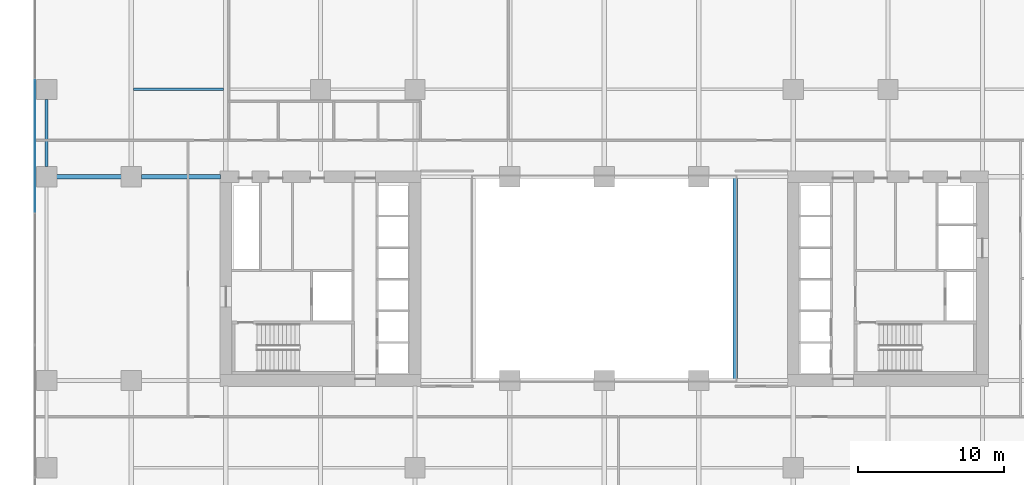
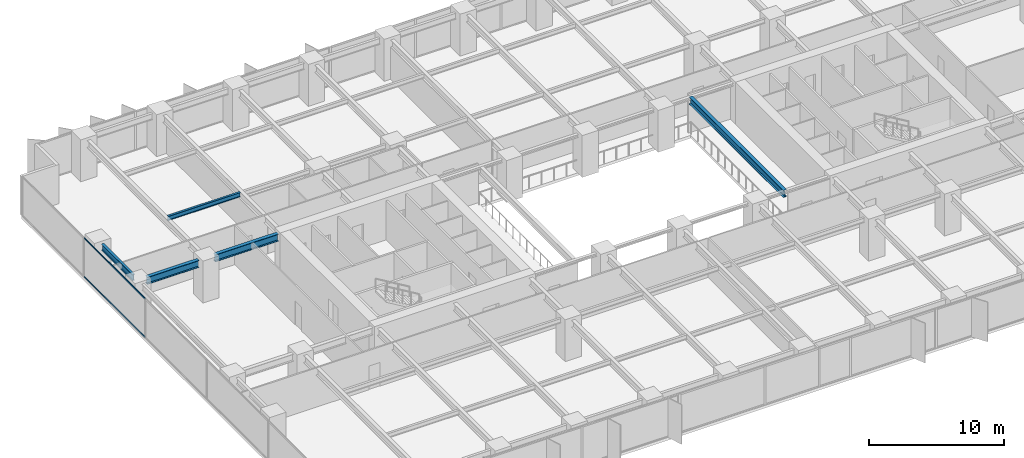
# One storey, part 6 of 20: 5 beams, 2 members, 1 element without a shape of its own.
"""IFC4 building model written with IfcOpenShell, lengths in metres."""

import ifcopenshell
import ifcopenshell.guid

model = None  # the IFC model being written
_history = None  # IfcOwnerHistory: only IFC2X3 demands one
_inside = {}  # id of a spatial element -> (the spatial element, [elements in it])
_under = {}  # id of a project, library or spatial element -> (it, [spatial elements below it])
_declared = {}  # id of a project -> (the project, [libraries it declares])
_typed = {}  # id of a type object -> (the type object, [elements of that type])
_made_of = {}  # id of a material, layer set ... -> (it, [elements and type objects made of it])


def new_model(schema):
    """Start an empty IFC model of exactly this schema.

    Asked for "IFC4X3", IfcOpenShell would pick the latest addendum, in which some entities
    have other attributes; the version numbers below select the first issue.
    IFC2X3 requires an IfcOwnerHistory on every rooted entity: one is made here for all.
    """
    global model, _history
    if schema == "IFC4X3":
        model = ifcopenshell.file(schema_version=(4, 3, 0, 0))
    else:
        model = ifcopenshell.file(schema=schema)
    _inside.clear()
    _under.clear()
    _declared.clear()
    _typed.clear()
    _made_of.clear()
    _history = None
    if model.schema == "IFC2X3":
        org = make("IfcOrganization", Name="unknown")
        user = make(
            "IfcPersonAndOrganization",
            ThePerson=make("IfcPerson", FamilyName="unknown"),
            TheOrganization=org,
        )
        app = make(
            "IfcApplication",
            ApplicationDeveloper=org,
            Version="unknown",
            ApplicationFullName="unknown",
            ApplicationIdentifier="unknown",
        )
        _history = make(
            "IfcOwnerHistory",
            OwningUser=user,
            OwningApplication=app,
            ChangeAction="ADDED",
            CreationDate=0,
        )
    return model


def make(cls, **values):
    """One entity of the class cls with the attributes given. An attribute that is None is left unset."""
    return model.create_entity(
        cls, **{name: value for name, value in values.items() if value is not None}
    )


def rooted(cls, **values):
    """An entity with a GlobalId (a new one), such as an element, a storey or a relation."""
    return make(cls, GlobalId=ifcopenshell.guid.new(), OwnerHistory=_history, **values)


def si_unit(unit_type, name, prefix=None):
    """IfcSIUnit, for example si_unit("LENGTHUNIT", "METRE", prefix="MILLI")."""
    return make("IfcSIUnit", UnitType=unit_type, Prefix=prefix, Name=name)


def assignment(units):
    """IfcUnitAssignment: the units of a project."""
    return None if units is None else make("IfcUnitAssignment", Units=units)


def point(xyz):
    """IfcCartesianPoint."""
    return None if xyz is None else make("IfcCartesianPoint", Coordinates=xyz)


def direction(xyz):
    """IfcDirection."""
    return None if xyz is None else make("IfcDirection", DirectionRatios=xyz)


def frame(location, z_axis=None, x_axis=None):
    """IfcAxis2Placement3D, a coordinate frame: its origin and axes. An axis left out is left unset."""
    return make(
        "IfcAxis2Placement3D",
        Location=point(location),
        Axis=direction(z_axis),
        RefDirection=direction(x_axis),
    )


def frame_2d(location, x_axis=None):
    """IfcAxis2Placement2D, a coordinate frame in the plane: its origin and x axis."""
    return make(
        "IfcAxis2Placement2D", Location=point(location), RefDirection=direction(x_axis)
    )


def origin():
    """The frame at (0, 0, 0) with its axes left unset."""
    return frame((0.0, 0.0, 0.0))


def origin_2d():
    """The frame at (0, 0) in the plane with its x axis left unset."""
    return frame_2d((0.0, 0.0))


def place(relative_to, where):
    """IfcLocalPlacement: puts the frame where relative to a parent placement (None: the world)."""
    return make(
        "IfcLocalPlacement", PlacementRelTo=relative_to, RelativePlacement=where
    )


def context(
    kind, dimensions, precision=None, world=None, true_north=None, identifier=None
):
    """IfcGeometricRepresentationContext, for example the 3D "Model" context."""
    return make(
        "IfcGeometricRepresentationContext",
        ContextIdentifier=identifier,
        ContextType=kind,
        CoordinateSpaceDimension=dimensions,
        Precision=precision,
        WorldCoordinateSystem=world,
        TrueNorth=true_north,
    )


def subcontext(parent, identifier, kind, view, scale=None):
    """IfcGeometricRepresentationSubContext, for example "Body" below "Model"."""
    return make(
        "IfcGeometricRepresentationSubContext",
        ContextIdentifier=identifier,
        ContextType=kind,
        ParentContext=parent,
        TargetScale=scale,
        TargetView=view,
    )


def project(units=None, contexts=None):
    """IfcProject with its units and contexts."""
    return rooted(
        "IfcProject",
        Name="project",
        RepresentationContexts=contexts,
        UnitsInContext=assignment(units),
    )


def spatial(cls, under=None, at=None, **own):
    """A site, building, storey or space (cls), placed at a placement, below another one or the project."""
    s = rooted(cls, ObjectPlacement=at, **own)
    if under is not None:
        _under.setdefault(under.id(), (under, []))[1].append(s)
    return s


def profile(cls, at=None, kind="AREA", **sizes):
    """A parametric profile (cls). Its sizes go by their IFC names, for example OverallWidth=200.0."""
    return make(cls, ProfileType=kind, Position=at, **sizes)


def rectangle(**sizes):
    """IfcRectangleProfileDef."""
    return profile("IfcRectangleProfileDef", **sizes)


def i_section(**sizes):
    """IfcIShapeProfileDef."""
    return profile("IfcIShapeProfileDef", **sizes)


def extrude(swept, where, along, depth):
    """IfcExtrudedAreaSolid: the profile swept, set in the frame where, extruded along a direction by depth."""
    return make(
        "IfcExtrudedAreaSolid",
        SweptArea=swept,
        Position=where,
        ExtrudedDirection=direction(along),
        Depth=depth,
    )


def shape(context_of_items, identifier, shape_type, items):
    """IfcShapeRepresentation: the items that make up one representation, for example the "Body"."""
    return make(
        "IfcShapeRepresentation",
        ContextOfItems=context_of_items,
        RepresentationIdentifier=identifier,
        RepresentationType=shape_type,
        Items=items,
    )


def material(Name=None, Category=None):
    """IfcMaterial."""
    return make("IfcMaterial", Name=Name, Category=Category)


def layer(
    of_material, thickness, ventilated=None, Name=None, Category=None, Priority=None
):
    """IfcMaterialLayer: one layer of a wall or slab, of a material (None: an air gap)."""
    return make(
        "IfcMaterialLayer",
        Material=of_material,
        LayerThickness=thickness,
        IsVentilated=ventilated,
        Name=Name,
        Category=Category,
        Priority=Priority,
    )


def layer_set(layers, Name=None):
    """IfcMaterialLayerSet."""
    return make("IfcMaterialLayerSet", MaterialLayers=layers, LayerSetName=Name)


def material_profile(
    of_material, cross_section, Name=None, Category=None, Priority=None
):
    """IfcMaterialProfile: a cross section and its material."""
    return make(
        "IfcMaterialProfile",
        Name=Name,
        Material=of_material,
        Profile=cross_section,
        Priority=Priority,
        Category=Category,
    )


def profile_set(profiles, Name=None, composite=None):
    """IfcMaterialProfileSet."""
    return make(
        "IfcMaterialProfileSet",
        Name=Name,
        MaterialProfiles=profiles,
        CompositeProfile=composite,
    )


def made_of(thing, what):
    """Note that an element or type object is made of a material, layer set ...; save() writes the relation."""
    if what is not None:
        _made_of.setdefault(what.id(), (what, []))[1].append(thing)
    return thing


def type_object(cls, material=None, **own):
    """A type object (cls), such as IfcWallType, which elements share."""
    return made_of(rooted(cls, **own), material)


def element(
    cls,
    number,
    at=None,
    inside=None,
    cuts=None,
    type_object=None,
    material=None,
    context=None,
    identifier="Body",
    shape_type=None,
    held_by="IfcProductDefinitionShape",
    body=None,
    shapes=None,
    **own,
):
    """One element of the class cls, such as IfcWall. Its Tag is "e" and its number.

    at: its placement. inside: the storey or other place that contains it. cuts: it is an
    opening in that element (IfcRelVoidsElement). A single representation is given by context,
    identifier, shape_type and body (its items); several are given by shapes. held_by: the class
    of the entity that holds the representations. save() writes the other relations.
    """
    e = rooted(cls, Tag="e%d" % number, ObjectPlacement=at, **own)
    if body is not None:
        shapes = [shape(context, identifier, shape_type, body)]
    if shapes is not None:
        e.Representation = make(held_by, Representations=shapes)
    if inside is not None:
        _inside.setdefault(inside.id(), (inside, []))[1].append(e)
    if cuts is not None:
        rooted(
            "IfcRelVoidsElement", RelatingBuildingElement=cuts, RelatedOpeningElement=e
        )
    if type_object is not None:
        _typed.setdefault(type_object.id(), (type_object, []))[1].append(e)
    return made_of(e, material)


def aggregate(whole, parts):
    """IfcRelAggregates: a whole, such as a stair, and the parts it consists of."""
    return rooted("IfcRelAggregates", RelatingObject=whole, RelatedObjects=parts)


def save(model, path):
    """Write the relations noted so far, then the file.

    IfcRelAggregates (storeys below a building ...), IfcRelContainedInSpatialStructure (elements
    in a storey), IfcRelDefinesByType, IfcRelAssociatesMaterial and IfcRelDeclares: one each for
    every whole, place, type object, material and project.
    """
    for whole, parts in _under.values():
        aggregate(whole, parts)
    for where, things in _inside.values():
        rooted(
            "IfcRelContainedInSpatialStructure",
            RelatedElements=things,
            RelatingStructure=where,
        )
    for kind, things in _typed.values():
        rooted("IfcRelDefinesByType", RelatedObjects=things, RelatingType=kind)
    for what, things in _made_of.values():
        rooted("IfcRelAssociatesMaterial", RelatedObjects=things, RelatingMaterial=what)
    for by, libraries in _declared.values():
        rooted("IfcRelDeclares", RelatingContext=by, RelatedDefinitions=libraries)
    model.write(path)


model = new_model("IFC4")

# Units and contexts
model_context = context("Model", 3, precision=1e-05, world=origin(), true_north=direction((0.0, 1.0)))
body_context = subcontext(model_context, "Body", "Model", "MODEL_VIEW")
ifc_project = project(units=[si_unit("LENGTHUNIT", "METRE"), si_unit("AREAUNIT", "SQUARE_METRE"), si_unit("VOLUMEUNIT", "CUBIC_METRE"), si_unit("PLANEANGLEUNIT", "RADIAN"), si_unit("MASSUNIT", "GRAM", prefix="KILO")], contexts=[model_context])

# Site, building, storey
site_placement = place(None, origin())
site = spatial("IfcSite", under=ifc_project, at=site_placement, CompositionType="ELEMENT")
building_placement = place(site_placement, origin())
building = spatial("IfcBuilding", under=site, at=building_placement, Name="Putna Gate Headquarters", CompositionType="ELEMENT")
storey_placement = place(building_placement, frame((0.0, 0.0, 35.39990234375)))
storey = spatial("IfcBuildingStorey", under=building, at=storey_placement, Name="L07", CompositionType="ELEMENT", Elevation=35.39990234375)

# Beams
ifc_material_1 = material(Name="Steel S355J2", Category="steel")
ifc_material_profile_1 = material_profile(ifc_material_1, i_section(OverallWidth=0.300048828125, OverallDepth=0.64990234375, WebThickness=0.01611328125, FlangeThickness=0.031005859375, at=origin_2d()), Name="Steel S355J2")
ifc_profile_set_1 = profile_set([ifc_material_profile_1], Name="Steel S355J2")
beam_type_1 = type_object("IfcBeamType", Name="BM-GIRD-Z1-HEB650", PredefinedType="USERDEFINED", material=ifc_profile_set_1)
beam_1_placement = place(storey_placement, frame((1.367919921875, 33.0, 3.22509765625), z_axis=(1.0, 0.0, 0.0), x_axis=(0.0, 1.0, 0.0)))
element("IfcBeam", 1, at=beam_1_placement, inside=storey, type_object=beam_type_1, Name="L07 West Wing Girder Y33-1", ObjectType="GIRDER", PredefinedType="USERDEFINED", context=body_context, shape_type="SweptSolid", body=[
    extrude(i_section(OverallWidth=0.300048828125, OverallDepth=0.64990234375, WebThickness=0.01611328125, FlangeThickness=0.031005859375, at=origin_2d()), origin(), (0.0, 0.0, 1.0), 4.444091796875),
])
beam_2_placement = place(storey_placement, frame((7.18798828125, 33.0, 3.22509765625), z_axis=(1.0, 0.0, 0.0), x_axis=(0.0, 1.0, 0.0)))
element("IfcBeam", 2, at=beam_2_placement, inside=storey, type_object=beam_type_1, Name="L07 West Wing Girder Y33-2", ObjectType="GIRDER", PredefinedType="USERDEFINED", context=body_context, shape_type="SweptSolid", body=[
    extrude(i_section(OverallWidth=0.300048828125, OverallDepth=0.64990234375, WebThickness=0.01611328125, FlangeThickness=0.031005859375, at=origin_2d()), origin(), (0.0, 0.0, 1.0), 5.427001953125),
])
beam_3_placement = place(storey_placement, frame((48.0, 19.010009765625, 3.22509765625), z_axis=(0.0, 1.0, 0.0), x_axis=(-1.0, 0.0, 0.0)))
element("IfcBeam", 3, at=beam_3_placement, inside=storey, type_object=beam_type_1, Name="L07 Atrium Trim Girder AE", ObjectType="GIRDER", PredefinedType="USERDEFINED", context=body_context, shape_type="SweptSolid", body=[
    extrude(i_section(OverallWidth=0.300048828125, OverallDepth=0.64990234375, WebThickness=0.01611328125, FlangeThickness=0.031005859375, at=origin_2d()), origin(), (0.0, 0.0, 1.0), 13.97998046875),
])
ifc_material_profile_2 = material_profile(ifc_material_1, i_section(OverallWidth=0.179931640625, OverallDepth=0.39990234375, WebThickness=0.008544921875, FlangeThickness=0.013427734375, at=origin_2d()), Name="Steel S355J2")
ifc_profile_set_2 = profile_set([ifc_material_profile_2], Name="Steel S355J2")
beam_type_2 = type_object("IfcBeamType", Name="BM-SEC-Z1-IPE400", PredefinedType="BEAM", material=ifc_profile_set_2)
beam_4_placement = place(storey_placement, frame((6.654052734375, 39.0, 3.35009765625), z_axis=(1.0, 0.0, 0.0), x_axis=(0.0, 1.0, 0.0)))
element("IfcBeam", 4, at=beam_4_placement, inside=storey, type_object=beam_type_2, Name="L07 North Secondary Beam 1", PredefinedType="BEAM", context=body_context, shape_type="SweptSolid", body=[
    extrude(i_section(OverallWidth=0.179931640625, OverallDepth=0.39990234375, WebThickness=0.008544921875, FlangeThickness=0.013427734375, at=origin_2d()), origin(), (0.0, 0.0, 1.0), 6.19189453125),
])
ifc_material_profile_3 = material_profile(ifc_material_1, i_section(OverallWidth=0.2099609375, OverallDepth=0.550048828125, WebThickness=0.010986328125, FlangeThickness=0.01708984375, at=origin_2d()), Name="Steel S355J2")
ifc_profile_set_3 = profile_set([ifc_material_profile_3], Name="Steel S355J2")
beam_type_3 = type_object("IfcBeamType", Name="BM-SPAN-Z1-IPE550", PredefinedType="SPANDREL", material=ifc_profile_set_3)
beam_5_placement = place(storey_placement, frame((0.679931640625, 33.68798828125, 3.275146484375), z_axis=(0.0, 1.0, 0.0), x_axis=(-1.0, 0.0, 0.0)))
element("IfcBeam", 5, at=beam_5_placement, inside=storey, type_object=beam_type_3, Name="L07 W End Spandrel 3", PredefinedType="SPANDREL", context=body_context, shape_type="SweptSolid", body=[
    extrude(i_section(OverallWidth=0.2099609375, OverallDepth=0.550048828125, WebThickness=0.010986328125, FlangeThickness=0.01708984375, at=origin_2d()), origin(), (0.0, 0.0, 1.0), 4.6240234375),
])

# Curtain wall, members
ifc_material_2 = material(Name="Anodised bronze aluminium curtain wall", Category="aluminium")
ifc_layer = layer(ifc_material_2, 0.179931640625)
ifc_layer_set = layer_set([ifc_layer], Name="Anodised bronze aluminium curtain wall")
curtain_wall_type = type_object("IfcCurtainWallType", Name="CW-SYS-Z1", PredefinedType="USERDEFINED", material=ifc_layer_set)
curtain_wall_placement = place(storey_placement, origin())
curtain_wall = element("IfcCurtainWall", 6, at=curtain_wall_placement, inside=storey, type_object=curtain_wall_type, Name="L07 West Curtain Wall", ObjectType="STICK CURTAIN WALL", PredefinedType="USERDEFINED")
ifc_material_3 = material(Name="Anodised bronze aluminium EN AW-6060", Category="aluminium")
ifc_material_profile_4 = material_profile(ifc_material_3, rectangle(XDim=0.06494140625, YDim=0.1201171875, at=origin_2d()), Name="Anodised bronze aluminium EN AW-6060")
ifc_profile_set_4 = profile_set([ifc_material_profile_4], Name="Anodised bronze aluminium EN AW-6060")
member_type = type_object("IfcMemberType", Name="TRAN-CWT-1", PredefinedType="USERDEFINED", material=ifc_profile_set_4)
member_1_placement = place(storey_placement, frame((-0.1201171875, 30.594970703125, 0.03271484375), z_axis=(0.0, 1.0, 0.0), x_axis=(-1.0, 0.0, 0.0)))
member_1 = element("IfcMember", 7, at=member_1_placement, type_object=member_type, Name="CWS-1 transom 4.1", ObjectType="TRANSOM", PredefinedType="USERDEFINED", context=body_context, shape_type="SweptSolid", body=[
    extrude(rectangle(XDim=0.06494140625, YDim=0.1201171875, at=origin_2d()), origin(), (0.0, 0.0, 1.0), 9.050048828125),
])
member_2_placement = place(storey_placement, frame((-0.1201171875, 30.594970703125, 3.517578125), z_axis=(0.0, 1.0, 0.0), x_axis=(-1.0, 0.0, 0.0)))
member_2 = element("IfcMember", 8, at=member_2_placement, type_object=member_type, Name="CWS-1 transom 4.2", ObjectType="TRANSOM", PredefinedType="USERDEFINED", context=body_context, shape_type="SweptSolid", body=[
    extrude(rectangle(XDim=0.06494140625, YDim=0.1201171875, at=origin_2d()), origin(), (0.0, 0.0, 1.0), 9.050048828125),
])
aggregate(curtain_wall, [member_1, member_2])

save(model, "model.ifc")
